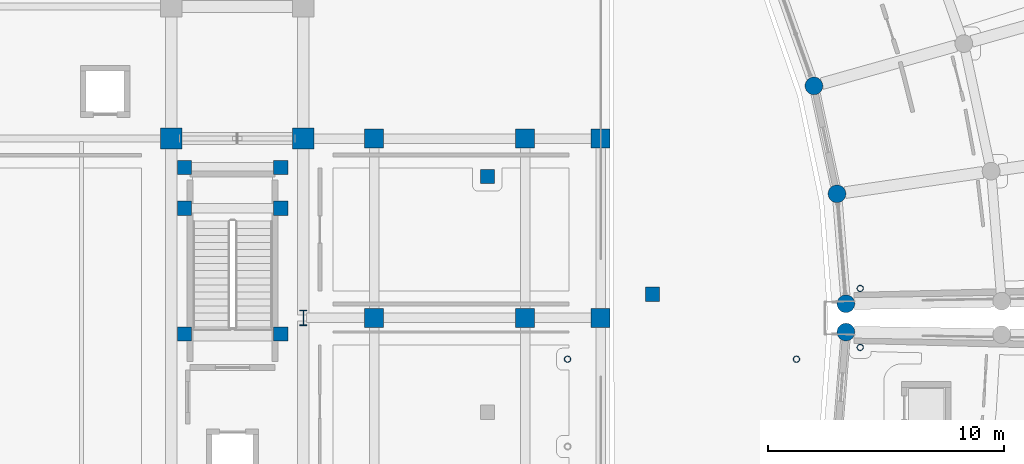
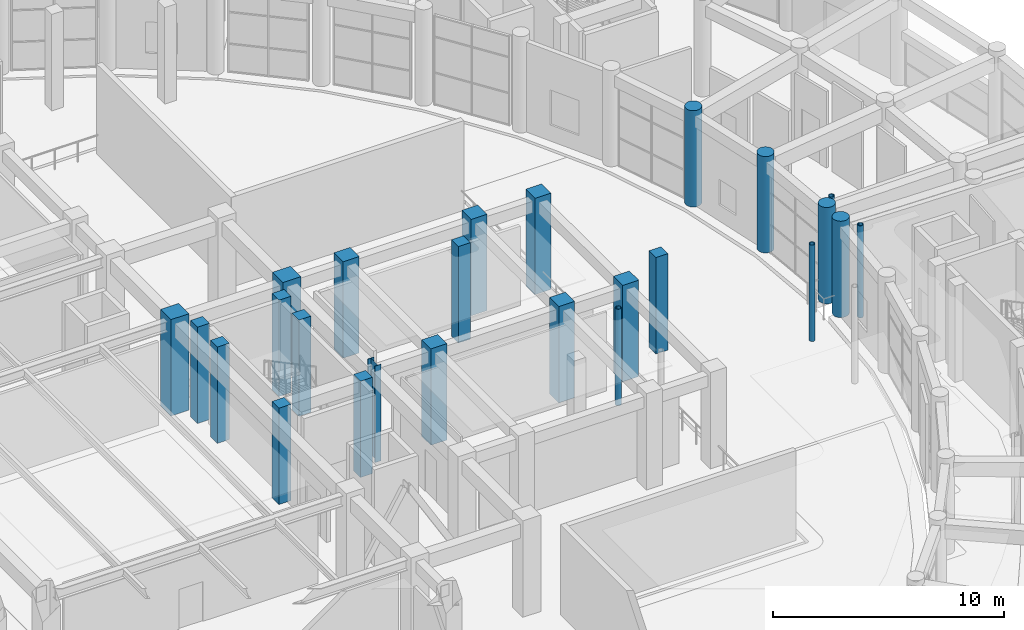
# One storey, part 13 of 99: 25 columns.
"""IFC4 building model written with IfcOpenShell, lengths in metres."""

from ifc_helpers import new_model, si_unit, direction, frame, origin, origin_2d, place, context, subcontext, project, spatial, rectangle, circle, hollow_circle, i_section, extrude, material, material_profile, profile_set, type_object, element, save


model = new_model("IFC4")

# Units and contexts
model_context = context("Model", 3, precision=1e-05, world=origin(), true_north=direction((0.0, 1.0)))
body_context = subcontext(model_context, "Body", "Model", "MODEL_VIEW")
ifc_project = project(units=[si_unit("LENGTHUNIT", "METRE"), si_unit("AREAUNIT", "SQUARE_METRE"), si_unit("VOLUMEUNIT", "CUBIC_METRE"), si_unit("PLANEANGLEUNIT", "RADIAN"), si_unit("MASSUNIT", "GRAM", prefix="KILO")], contexts=[model_context])

# Site, building, storey
site_placement = place(None, origin())
site = spatial("IfcSite", under=ifc_project, at=site_placement, CompositionType="ELEMENT")
building_placement = place(site_placement, origin())
building = spatial("IfcBuilding", under=site, at=building_placement, Name="Saryqyr Civic Hall", CompositionType="ELEMENT")
storey_placement = place(building_placement, origin())
storey = spatial("IfcBuildingStorey", under=building, at=storey_placement, Name="L00", CompositionType="ELEMENT", Elevation=0.0)

# Columns
ifc_material_1 = material(Name="Steel S355", Category="steel")
ifc_material_profile_1 = material_profile(ifc_material_1, hollow_circle(Radius=0.136474609375, WallThickness=0.01611328125, at=origin_2d()), Name="CHS 273x16")
ifc_profile_set_1 = profile_set([ifc_material_profile_1], Name="Steel S355")
column_type_1 = type_object("IfcColumnType", Name="STR-COL-CHS273-S355", PredefinedType="COLUMN", material=ifc_profile_set_1)
for number, where, z_axis, x_axis, name in (
    (1, (93.800048828125, 82.75, 0.0), (0.0, 0.0, 1.0), (1.0, 0.0, 0.0), "Column BRCOL-BR-E-1-L00"),
    (2, (93.800048828125, 85.25, 0.0), (0.0, 0.0, 1.0), (1.0, 0.0, 0.0), "Column BRCOL-BR-E-4-L00"),
):
    element("IfcColumn", number, at=place(storey_placement, frame(where, z_axis=z_axis, x_axis=x_axis)), inside=storey, type_object=column_type_1, Name=name, PredefinedType="COLUMN", context=body_context, shape_type="SweptSolid", body=[
        extrude(hollow_circle(Radius=0.136474609375, WallThickness=0.01611328125, at=origin_2d()), origin(), (0.0, 0.0, 1.0), 4.8701171875),
    ])
for number, where, z_axis, x_axis, name in (
    (3, (91.09765625, 82.25, 0.0), (0.0, 0.0, 1.0), (1.0, 0.0, 0.0), "Column BRCOL-BR-CE-3-L00"),
    (4, (81.39990234375, 82.25, 0.0), (0.0, 0.0, 1.0), (1.0, 0.0, 0.0), "Column BRCOL-BR-CE-4-L00"),
):
    element("IfcColumn", number, at=place(storey_placement, frame(where, z_axis=z_axis, x_axis=x_axis)), inside=storey, type_object=column_type_1, Name=name, PredefinedType="COLUMN", context=body_context, shape_type="SweptSolid", body=[
        extrude(hollow_circle(Radius=0.136474609375, WallThickness=0.01611328125, at=origin_2d()), origin(), (0.0, 0.0, 1.0), 5.10009765625),
    ])
ifc_material_profile_2 = material_profile(ifc_material_1, i_section(OverallWidth=0.300048828125, OverallDepth=0.64990234375, WebThickness=0.01611328125, FlangeThickness=0.031005859375, at=origin_2d()), Name="HEB 650")
ifc_profile_set_2 = profile_set([ifc_material_profile_2], Name="Steel S355")
column_type_2 = type_object("IfcColumnType", Name="STR-COL-HEB650-S355", PredefinedType="COLUMN", material=ifc_profile_set_2)
column_placement = place(storey_placement, frame((70.199951171875, 84.0, 0.0), z_axis=(0.0, 0.0, 1.0), x_axis=(1.0, 0.0, 0.0)))
element("IfcColumn", 5, at=column_placement, inside=storey, type_object=column_type_2, Name="Column V1-GCOL-E-L00", PredefinedType="COLUMN", context=body_context, shape_type="SweptSolid", body=[
    extrude(i_section(OverallWidth=0.300048828125, OverallDepth=0.64990234375, WebThickness=0.01611328125, FlangeThickness=0.031005859375, at=origin_2d()), origin(), (0.0, 0.0, 1.0), 5.10009765625),
])
ifc_material_2 = material(Name="Concrete C40/50", Category="concrete")
ifc_material_profile_3 = material_profile(ifc_material_2, rectangle(XDim=0.60009765625, YDim=0.60009765625, at=origin_2d()), Name="RC 600x600")
ifc_profile_set_3 = profile_set([ifc_material_profile_3], Name="Concrete C40/50")
column_type_3 = type_object("IfcColumnType", Name="STR-COL-RC600-C40", PredefinedType="COLUMN", material=ifc_profile_set_3)
for number, where, z_axis, x_axis, name in (
    (6, (69.239990234375, 83.31494140625, 0.0), (0.0, 0.0, 1.0), (1.0, 0.0, 0.0), "Column ST-2-SCOL-TRMA-L00"),
    (7, (65.159912109375, 83.31494140625, 0.0), (0.0, 0.0, 1.0), (1.0, 0.0, 0.0), "Column ST-2-SCOL-TRMB-L00"),
    (8, (69.239990234375, 88.64990234375, 0.0), (0.0, 0.0, 1.0), (1.0, 0.0, 0.0), "Column ST-2-SCOL-LND1A-L00"),
    (9, (65.159912109375, 88.64990234375, 0.0), (0.0, 0.0, 1.0), (1.0, 0.0, 0.0), "Column ST-2-SCOL-LND1B-L00"),
    (10, (69.239990234375, 90.3798828125, 0.0), (0.0, 0.0, 1.0), (1.0, 0.0, 0.0), "Column ST-2-SCOL-LND2A-L00"),
    (11, (65.159912109375, 90.3798828125, 0.0), (0.0, 0.0, 1.0), (1.0, 0.0, 0.0), "Column ST-2-SCOL-LND2B-L00"),
    (12, (78.0, 90.0, 0.0), (0.0, 0.0, 1.0), (1.0, 0.0, 0.0), "Column V2-XCOL-05-L00"),
    (13, (85.0, 85.0, 0.0), (0.0, 0.0, 1.0), (1.0, 0.0, 0.0), "Column V2-XCOL-06-L00"),
):
    element("IfcColumn", number, at=place(storey_placement, frame(where, z_axis=z_axis, x_axis=x_axis)), inside=storey, type_object=column_type_3, Name=name, PredefinedType="COLUMN", context=body_context, shape_type="SweptSolid", body=[
        extrude(rectangle(XDim=0.60009765625, YDim=0.60009765625, at=origin_2d()), origin(), (0.0, 0.0, 1.0), 5.10009765625),
    ])
ifc_material_profile_4 = material_profile(ifc_material_2, rectangle(XDim=0.800048828125, YDim=0.800048828125, at=origin_2d()), Name="RC 800x800")
ifc_profile_set_4 = profile_set([ifc_material_profile_4], Name="Concrete C40/50")
column_type_4 = type_object("IfcColumnType", Name="STR-COL-RC800-C40", PredefinedType="COLUMN", material=ifc_profile_set_4)
for number, where, z_axis, x_axis, name in (
    (14, (73.199951171875, 84.0, 0.0), (0.0, 0.0, 1.0), (1.0, 0.0, 0.0), "Column V1-COL-S3P05-L00"),
    (15, (73.199951171875, 91.60009765625, 0.0), (0.0, 0.0, 1.0), (1.0, 0.0, 0.0), "Column V1-COL-S3P06-L00"),
    (16, (79.60009765625, 84.0, 0.0), (0.0, 0.0, 1.0), (1.0, 0.0, 0.0), "Column V1-COL-S1P05-L00"),
    (17, (79.60009765625, 91.60009765625, 0.0), (0.0, 0.0, 1.0), (1.0, 0.0, 0.0), "Column V1-COL-S1P06-L00"),
    (18, (82.800048828125, 84.0, 0.0), (0.0, 0.0, 1.0), (1.0, 0.0, 0.0), "Column V1-COL-S0P05-L00"),
    (19, (82.800048828125, 91.60009765625, 0.0), (0.0, 0.0, 1.0), (1.0, 0.0, 0.0), "Column V1-COL-S0P06-L00"),
):
    element("IfcColumn", number, at=place(storey_placement, frame(where, z_axis=z_axis, x_axis=x_axis)), inside=storey, type_object=column_type_4, Name=name, PredefinedType="COLUMN", context=body_context, shape_type="SweptSolid", body=[
        extrude(rectangle(XDim=0.800048828125, YDim=0.800048828125, at=origin_2d()), origin(), (0.0, 0.0, 1.0), 5.10009765625),
    ])
ifc_material_profile_5 = material_profile(ifc_material_2, rectangle(XDim=0.89990234375, YDim=0.89990234375, at=origin_2d()), Name="RC 900x900")
ifc_profile_set_5 = profile_set([ifc_material_profile_5], Name="Concrete C40/50")
column_type_5 = type_object("IfcColumnType", Name="STR-COL-RC900-C40", PredefinedType="COLUMN", material=ifc_profile_set_5)
for number, where, z_axis, x_axis, name in (
    (20, (64.60009765625, 91.60009765625, 0.0), (0.0, 0.0, 1.0), (1.0, 0.0, 0.0), "Column V1-COL-C33-L00"),
    (21, (70.199951171875, 91.60009765625, 0.0), (0.0, 0.0, 1.0), (1.0, 0.0, 0.0), "Column V1-COL-C43-L00"),
):
    element("IfcColumn", number, at=place(storey_placement, frame(where, z_axis=z_axis, x_axis=x_axis)), inside=storey, type_object=column_type_5, Name=name, PredefinedType="COLUMN", context=body_context, shape_type="SweptSolid", body=[
        extrude(rectangle(XDim=0.89990234375, YDim=0.89990234375, at=origin_2d()), origin(), (0.0, 0.0, 1.0), 5.10009765625),
    ])
ifc_material_profile_6 = material_profile(ifc_material_2, circle(Radius=0.375, at=origin_2d()), Name="RC D750")
ifc_profile_set_6 = profile_set([ifc_material_profile_6], Name="Concrete C40/50")
column_type_6 = type_object("IfcColumnType", Name="STR-COL-RCD750-EXT", PredefinedType="COLUMN", material=ifc_profile_set_6)
for number, where, z_axis, x_axis, name in (
    (22, (93.195068359375, 83.39990234375, 0.0), (0.0, 0.0, 1.0), (0.999862544538, -0.016579868188, 0.0), "Column V5-COL-IN10-L00"),
    (23, (93.195068359375, 84.60009765625, 0.0), (0.0, 0.0, 1.0), (0.999862544538, 0.016579868188, 0.0), "Column V6-COL-IN00-L00"),
    (24, (92.81591796875, 89.260009765625, 0.0), (0.0, 0.0, 1.0), (0.989399437751, 0.145219670077, 0.0), "Column V6-COL-IN01-L00"),
    (25, (91.839111328125, 93.832275390625, 0.0), (0.0, 0.0, 1.0), (0.962407846499, 0.271608425858, 0.0), "Column V6-COL-IN02-L00"),
):
    element("IfcColumn", number, at=place(storey_placement, frame(where, z_axis=z_axis, x_axis=x_axis)), inside=storey, type_object=column_type_6, Name=name, PredefinedType="COLUMN", context=body_context, shape_type="SweptSolid", body=[
        extrude(circle(Radius=0.375, at=origin_2d()), origin(), (0.0, 0.0, 1.0), 5.10009765625),
    ])

save(model, "model.ifc")
